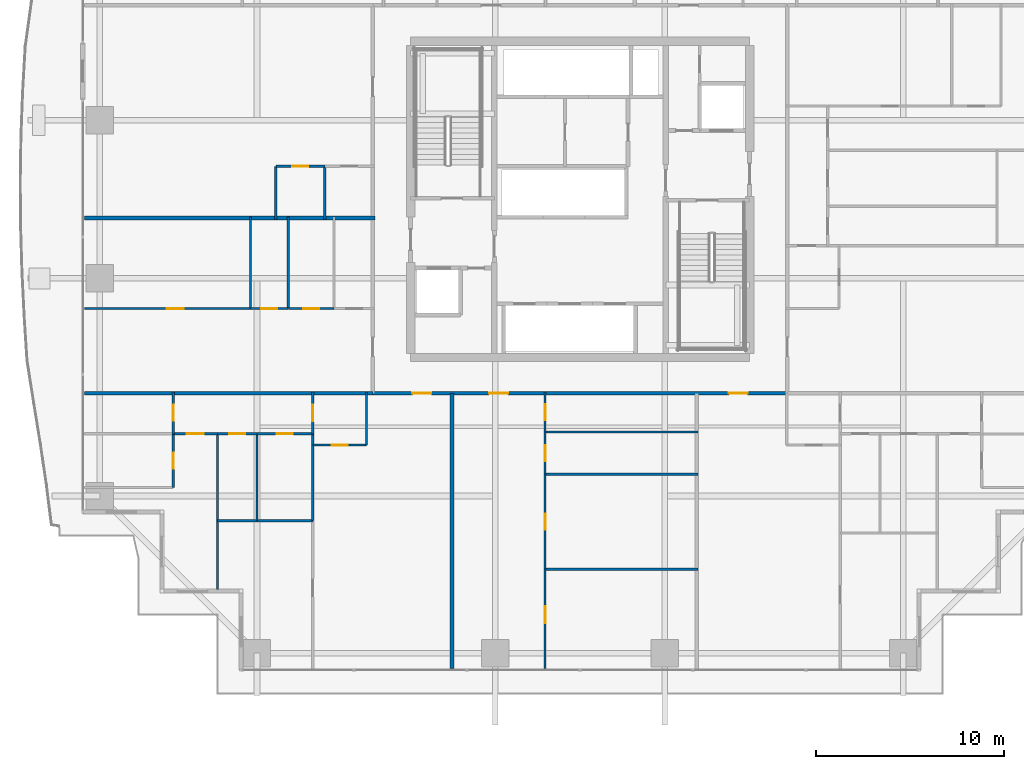
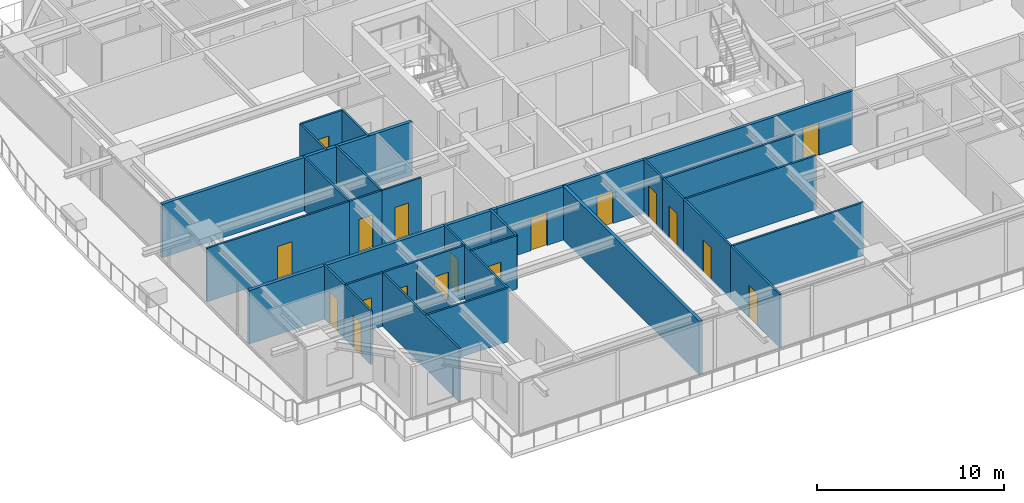
# One storey, part 23 of 35: 31 walls, 18 doors, 18 openings.
"""IFC4 building model written with IfcOpenShell, lengths in metres."""

from ifc_helpers import new_model, si_unit, direction, frame, frame_2d, origin, place, context, subcontext, project, spatial, rectangle, extrude, source, transform, mapped, material, layer, layer_set, type_object, element, fill, save


model = new_model("IFC4")

# Units and contexts
model_context = context("Model", 3, precision=1e-05, world=origin(), true_north=direction((0.0, 1.0)))
body_context = subcontext(model_context, "Body", "Model", "MODEL_VIEW")
ifc_project = project(units=[si_unit("LENGTHUNIT", "METRE"), si_unit("AREAUNIT", "SQUARE_METRE"), si_unit("VOLUMEUNIT", "CUBIC_METRE"), si_unit("PLANEANGLEUNIT", "RADIAN"), si_unit("MASSUNIT", "GRAM", prefix="KILO")], contexts=[model_context])

# Site, building, storey
site_placement = place(None, origin())
site = spatial("IfcSite", under=ifc_project, at=site_placement, CompositionType="ELEMENT")
building_placement = place(site_placement, origin())
building = spatial("IfcBuilding", under=site, at=building_placement, Name="Serunith Strait Residences", CompositionType="ELEMENT")
storey_placement = place(building_placement, frame((0.0, 0.0, 71.699951171875)))
storey = spatial("IfcBuildingStorey", under=building, at=storey_placement, Name="L17", CompositionType="ELEMENT", Elevation=71.699951171875)

# Wall, openings, doors
ifc_material_1 = material(Name="Fire-rated acoustic gypsum partition")
ifc_layer_1 = layer(ifc_material_1, 0.179931640625, Name="Fire-rated acoustic gypsum partition")
ifc_layer_set_1 = layer_set([ifc_layer_1], Name="Fire-rated acoustic gypsum partition")
wall_type_1 = type_object("IfcWallType", Name="IW-CORR-180", PredefinedType="PARTITIONING", material=ifc_layer_set_1)
wall_1_placement = place(storey_placement, frame((21.402099609375, 14.89990234375, 0.0), z_axis=(0.0, 0.0, 1.0), x_axis=(1.0, 0.0, 0.0)))
wall_1 = element("IfcWall", 1, at=wall_1_placement, inside=storey, type_object=wall_type_1, Name="L17 Partition Wall 023", PredefinedType="PARTITIONING", context=body_context, shape_type="SweptSolid", body=[
    extrude(rectangle(XDim=21.995849609375, YDim=0.179931640625, at=frame_2d((10.998046875, 0.0))), origin(), (0.0, 0.0, 1.0), 3.489990234375),
])
opening_1_placement = place(wall_1_placement, frame((2.10009765625, 0.0, 0.0)))
opening_1 = element("IfcOpeningElement", 2, at=opening_1_placement, cuts=wall_1, Name="Opening D-APT1000", PredefinedType="OPENING", context=body_context, shape_type="SweptSolid", body=[
    extrude(rectangle(XDim=1.0, YDim=2.14990234375, at=frame_2d((0.5, 1.074951171875))), frame((0.0, 0.10009765625, 0.0), z_axis=(0.0, -1.0, 0.0), x_axis=(1.0, 0.0, 0.0)), (0.0, 0.0, 1.0), 0.199951171875),
])
opening_2_placement = place(wall_1_placement, frame((6.173095703125, 0.0, 0.0)))
opening_2 = element("IfcOpeningElement", 3, at=opening_2_placement, cuts=wall_1, Name="Opening D-APT1000", PredefinedType="OPENING", context=body_context, shape_type="SweptSolid", body=[
    extrude(rectangle(XDim=1.0, YDim=2.14990234375, at=frame_2d((0.5, 1.074951171875))), frame((0.0, 0.10009765625, 0.0), z_axis=(0.0, -1.0, 0.0), x_axis=(1.0, 0.0, 0.0)), (0.0, 0.0, 1.0), 0.199951171875),
])
opening_3_placement = place(wall_1_placement, frame((18.89599609375, 0.0, 0.0)))
opening_3 = element("IfcOpeningElement", 4, at=opening_3_placement, cuts=wall_1, Name="Opening D-APT1000", PredefinedType="OPENING", context=body_context, shape_type="SweptSolid", body=[
    extrude(rectangle(XDim=1.0, YDim=2.14990234375, at=frame_2d((0.5, 1.074951171875))), frame((0.0, 0.10009765625, 0.0), z_axis=(0.0, -1.0, 0.0), x_axis=(1.0, 0.0, 0.0)), (0.0, 0.0, 1.0), 0.199951171875),
])
ifc_material_2 = material(Name="Solid timber engineered fire door", Category="wood")
door_type_1 = type_object("IfcDoorType", Name="ID-APT-1000", OperationType="NOTDEFINED", PredefinedType="DOOR", material=ifc_material_2)
shared_shape_1 = source(origin(), body_context, "Body", "SweptSolid", [
    extrude(rectangle(XDim=1.0, YDim=2.14990234375, at=frame_2d((0.5, 1.074951171875))), frame((0.0, 0.02490234375, 0.0), z_axis=(0.0, -1.0, 0.0), x_axis=(1.0, 0.0, 0.0)), (0.0, 0.0, 1.0), 0.050048828125),
])
door_1_placement = place(opening_1_placement, origin())
door_1 = element("IfcDoor", 5, at=door_1_placement, inside=storey, type_object=door_type_1, Name="L17 Unit 01 Entrance Door", OperationType="SINGLE_SWING_LEFT", OverallHeight=2.14990234375, OverallWidth=1.0, PredefinedType="DOOR", context=body_context, shape_type="MappedRepresentation", body=[
    mapped(shared_shape_1, transform((0.0, 0.0, 0.0), scale=1.0)),
])
fill(opening_1, door_1)
door_2_placement = place(opening_2_placement, origin())
door_2 = element("IfcDoor", 6, at=door_2_placement, inside=storey, type_object=door_type_1, Name="L17 Unit 02 Entrance Door", OperationType="SINGLE_SWING_RIGHT", OverallHeight=2.14990234375, OverallWidth=1.0, PredefinedType="DOOR", context=body_context, shape_type="MappedRepresentation", body=[
    mapped(shared_shape_1, transform((0.0, 0.0, 0.0), scale=1.0)),
])
fill(opening_2, door_2)
door_3_placement = place(opening_3_placement, origin())
door_3 = element("IfcDoor", 7, at=door_3_placement, inside=storey, type_object=door_type_1, Name="L17 Unit 03 Entrance Door", OperationType="SINGLE_SWING_LEFT", OverallHeight=2.14990234375, OverallWidth=1.0, PredefinedType="DOOR", context=body_context, shape_type="MappedRepresentation", body=[
    mapped(shared_shape_1, transform((0.0, 0.0, 0.0), scale=1.0)),
])
fill(opening_3, door_3)

# Wall, opening, door
ifc_material_3 = material(Name="Lightweight steel-stud gypsum partition", Category="steel")
ifc_layer_2 = layer(ifc_material_3, 0.1201171875, Name="Lightweight steel-stud gypsum partition")
ifc_layer_set_2 = layer_set([ifc_layer_2], Name="Lightweight steel-stud gypsum partition")
wall_type_2 = type_object("IfcWallType", Name="IW-PART-120", PredefinedType="PARTITIONING", material=ifc_layer_set_2)
wall_2_placement = place(storey_placement, frame((18.2099609375, 12.14990234375, 0.0), z_axis=(0.0, 0.0, 1.0), x_axis=(1.0, 0.0, 0.0)))
wall_2 = element("IfcWall", 8, at=wall_2_placement, inside=storey, type_object=wall_type_2, Name="L17 Partition Wall 027", PredefinedType="PARTITIONING", context=body_context, shape_type="SweptSolid", body=[
    extrude(rectangle(XDim=2.85009765625, YDim=0.1201171875, at=frame_2d((1.425048828125, 0.0))), origin(), (0.0, 0.0, 1.0), 3.489990234375),
])
opening_4_placement = place(wall_2_placement, frame((1.0, 0.0, 0.0)))
opening_4 = element("IfcOpeningElement", 9, at=opening_4_placement, cuts=wall_2, Name="Opening D-RM850", PredefinedType="OPENING", context=body_context, shape_type="SweptSolid", body=[
    extrude(rectangle(XDim=0.85009765625, YDim=2.10009765625, at=frame_2d((0.425048828125, 1.050048828125))), frame((0.0, 0.070068359375, 0.0), z_axis=(0.0, -1.0, 0.0), x_axis=(1.0, 0.0, 0.0)), (0.0, 0.0, 1.0), 0.14013671875),
])
ifc_material_4 = material(Name="Engineered timber flush study and kitchen door", Category="wood")
door_type_2 = type_object("IfcDoorType", Name="ID-ROOM-850", OperationType="NOTDEFINED", PredefinedType="DOOR", material=ifc_material_4)
shared_shape_2 = source(origin(), body_context, "Body", "SweptSolid", [
    extrude(rectangle(XDim=0.85009765625, YDim=2.10009765625, at=frame_2d((0.425048828125, 1.050048828125))), frame((0.0, 0.02490234375, 0.0), z_axis=(0.0, -1.0, 0.0), x_axis=(1.0, 0.0, 0.0)), (0.0, 0.0, 1.0), 0.050048828125),
])
door_4_placement = place(opening_4_placement, origin())
door_4 = element("IfcDoor", 10, at=door_4_placement, inside=storey, type_object=door_type_2, Name="L17 Kitchen 1701 Door", OperationType="SINGLE_SWING_LEFT", OverallHeight=2.10009765625, OverallWidth=0.85009765625, PredefinedType="DOOR", context=body_context, shape_type="MappedRepresentation", body=[
    mapped(shared_shape_2, transform((0.0, 0.0, 0.0), scale=1.0)),
])
fill(opening_4, door_4)

# Wall
wall_3_placement = place(storey_placement, frame((21.06005859375, 12.14990234375, 0.0), z_axis=(0.0, 0.0, 1.0), x_axis=(0.0, 1.0, 0.0)))
element("IfcWall", 11, at=wall_3_placement, inside=storey, type_object=wall_type_2, Name="L17 Partition Wall 028", PredefinedType="PARTITIONING", context=body_context, shape_type="SweptSolid", body=[
    extrude(rectangle(XDim=2.81005859375, YDim=0.1201171875, at=frame_2d((1.405029296875, 0.0))), origin(), (0.0, 0.0, 1.0), 3.489990234375),
])

# Wall, opening, door
wall_4_placement = place(storey_placement, frame((18.2099609375, 12.75, 0.0), z_axis=(0.0, 0.0, 1.0), x_axis=(0.0, 1.0, 0.0)))
wall_4 = element("IfcWall", 12, at=wall_4_placement, inside=storey, type_object=wall_type_2, Name="L17 Partition Wall 029", PredefinedType="PARTITIONING", context=body_context, shape_type="SweptSolid", body=[
    extrude(rectangle(XDim=2.2099609375, YDim=0.1201171875, at=frame_2d((1.10498046875, 0.0))), origin(), (0.0, 0.0, 1.0), 3.489990234375),
])
opening_5_placement = place(wall_4_placement, frame((0.655029296875, 0.0, 0.0)))
opening_5 = element("IfcOpeningElement", 13, at=opening_5_placement, cuts=wall_4, Name="Opening D-RM900", PredefinedType="OPENING", context=body_context, shape_type="SweptSolid", body=[
    extrude(rectangle(XDim=0.89990234375, YDim=2.10009765625, at=frame_2d((0.449951171875, 1.050048828125))), frame((0.0, 0.070068359375, 0.0), z_axis=(0.0, -1.0, 0.0), x_axis=(1.0, 0.0, 0.0)), (0.0, 0.0, 1.0), 0.14013671875),
])
ifc_material_5 = material(Name="Engineered timber flush bedroom door", Category="wood")
door_type_3 = type_object("IfcDoorType", Name="ID-ROOM-900", OperationType="NOTDEFINED", PredefinedType="DOOR", material=ifc_material_5)
shared_shape_3 = source(origin(), body_context, "Body", "SweptSolid", [
    extrude(rectangle(XDim=0.89990234375, YDim=2.10009765625, at=frame_2d((0.449951171875, 1.050048828125))), frame((0.0, 0.02490234375, 0.0), z_axis=(0.0, -1.0, 0.0), x_axis=(1.0, 0.0, 0.0)), (0.0, 0.0, 1.0), 0.050048828125),
])
door_5_placement = place(opening_5_placement, origin())
door_5 = element("IfcDoor", 14, at=door_5_placement, inside=storey, type_object=door_type_3, Name="L17 Hall W 1701 Door", OperationType="SINGLE_SWING_RIGHT", OverallHeight=2.10009765625, OverallWidth=0.89990234375, PredefinedType="DOOR", context=body_context, shape_type="MappedRepresentation", body=[
    mapped(shared_shape_3, transform((0.0, 0.0, 0.0), scale=1.0)),
])
fill(opening_5, door_5)

# Walls
wall_5_placement = place(storey_placement, frame((18.2099609375, 8.14111328125, 0.0), z_axis=(0.0, 0.0, 1.0), x_axis=(0.0, 1.0, 0.0)))
element("IfcWall", 15, at=wall_5_placement, inside=storey, type_object=wall_type_2, Name="L17 Partition Wall 031", PredefinedType="PARTITIONING", context=body_context, shape_type="SweptSolid", body=[
    extrude(rectangle(XDim=4.60693359375, YDim=0.1201171875, at=frame_2d((2.303466796875, 0.0))), origin(), (0.0, 0.0, 1.0), 3.489990234375),
])
wall_6_placement = place(storey_placement, frame((13.14990234375, 8.138916015625, 0.0), z_axis=(0.0, 0.0, 1.0), x_axis=(1.0, 0.0, 0.0)))
element("IfcWall", 16, at=wall_6_placement, inside=storey, type_object=wall_type_2, Name="L17 Partition Wall 032", PredefinedType="PARTITIONING", context=body_context, shape_type="SweptSolid", body=[
    extrude(rectangle(XDim=5.06005859375, YDim=0.1201171875, at=frame_2d((2.530029296875, 0.0))), origin(), (0.0, 0.0, 1.0), 3.489990234375),
])
wall_7_placement = place(storey_placement, frame((13.14990234375, 4.4951171875, 0.0), z_axis=(0.0, 0.0, 1.0), x_axis=(0.0, 1.0, 0.0)))
element("IfcWall", 17, at=wall_7_placement, inside=storey, type_object=wall_type_2, Name="L17 Partition Wall 033", PredefinedType="PARTITIONING", context=body_context, shape_type="SweptSolid", body=[
    extrude(rectangle(XDim=8.2548828125, YDim=0.1201171875, at=frame_2d((4.12744140625, 0.0))), origin(), (0.0, 0.0, 1.0), 3.489990234375),
])
wall_8_placement = place(storey_placement, frame((15.25, 8.138916015625, 0.0), z_axis=(0.0, 0.0, 1.0), x_axis=(0.0, 1.0, 0.0)))
element("IfcWall", 18, at=wall_8_placement, inside=storey, type_object=wall_type_2, Name="L17 Partition Wall 034", PredefinedType="PARTITIONING", context=body_context, shape_type="SweptSolid", body=[
    extrude(rectangle(XDim=4.611083984375, YDim=0.1201171875, at=frame_2d((2.3056640625, 0.0))), origin(), (0.0, 0.0, 1.0), 2.922119140625),
])

# Wall, opening, door
wall_9_placement = place(storey_placement, frame((13.14990234375, 12.75, 0.0), z_axis=(0.0, 0.0, 1.0), x_axis=(1.0, 0.0, 0.0)))
wall_9 = element("IfcWall", 19, at=wall_9_placement, inside=storey, type_object=wall_type_2, Name="L17 Partition Wall 035", PredefinedType="PARTITIONING", context=body_context, shape_type="SweptSolid", body=[
    extrude(rectangle(XDim=2.10009765625, YDim=0.1201171875, at=frame_2d((1.050048828125, 0.0))), origin(), (0.0, 0.0, 1.0), 3.489990234375),
])
opening_6_placement = place(wall_9_placement, frame((0.625, 0.0, 0.0)))
opening_6 = element("IfcOpeningElement", 20, at=opening_6_placement, cuts=wall_9, Name="Opening D-BTH850", PredefinedType="OPENING", context=body_context, shape_type="SweptSolid", body=[
    extrude(rectangle(XDim=0.85009765625, YDim=2.10009765625, at=frame_2d((0.425048828125, 1.050048828125))), frame((0.0, 0.070068359375, 0.0), z_axis=(0.0, -1.0, 0.0), x_axis=(1.0, 0.0, 0.0)), (0.0, 0.0, 1.0), 0.14013671875),
])
ifc_material_6 = material(Name="Moisture-resistant timber bathroom door", Category="wood")
door_type_4 = type_object("IfcDoorType", Name="ID-BATH-850", OperationType="NOTDEFINED", PredefinedType="DOOR", material=ifc_material_6)
door_6_placement = place(opening_6_placement, origin())
door_6 = element("IfcDoor", 21, at=door_6_placement, inside=storey, type_object=door_type_4, Name="L17 Bathroom 1701 Door", OperationType="SINGLE_SWING_RIGHT", OverallHeight=2.10009765625, OverallWidth=0.85009765625, PredefinedType="DOOR", context=body_context, shape_type="MappedRepresentation", body=[
    mapped(shared_shape_2, transform((0.0, 0.0, 0.0), scale=1.0)),
])
fill(opening_6, door_6)

wall_10_placement = place(storey_placement, frame((15.251953125, 12.75, 0.0), z_axis=(0.0, 0.0, 1.0), x_axis=(1.0, 0.0, 0.0)))
wall_10 = element("IfcWall", 22, at=wall_10_placement, inside=storey, type_object=wall_type_2, Name="L17 Partition Wall 036", PredefinedType="PARTITIONING", context=body_context, shape_type="SweptSolid", body=[
    extrude(rectangle(XDim=2.9580078125, YDim=0.1201171875, at=frame_2d((1.47900390625, 0.0))), origin(), (0.0, 0.0, 1.0), 3.489990234375),
])
opening_7_placement = place(wall_10_placement, frame((1.053955078125, 0.0, 0.0)))
opening_7 = element("IfcOpeningElement", 23, at=opening_7_placement, cuts=wall_10, Name="Opening D-RM850", PredefinedType="OPENING", context=body_context, shape_type="SweptSolid", body=[
    extrude(rectangle(XDim=0.85009765625, YDim=2.10009765625, at=frame_2d((0.425048828125, 1.050048828125))), frame((0.0, 0.070068359375, 0.0), z_axis=(0.0, -1.0, 0.0), x_axis=(1.0, 0.0, 0.0)), (0.0, 0.0, 1.0), 0.14013671875),
])
door_7_placement = place(opening_7_placement, origin())
door_7 = element("IfcDoor", 24, at=door_7_placement, inside=storey, type_object=door_type_2, Name="L17 Formal Dining Room 1701 Door", OperationType="SINGLE_SWING_LEFT", OverallHeight=2.10009765625, OverallWidth=0.85009765625, PredefinedType="DOOR", context=body_context, shape_type="MappedRepresentation", body=[
    mapped(shared_shape_2, transform((0.0, 0.0, 0.0), scale=1.0)),
])
fill(opening_7, door_7)

wall_11_placement = place(storey_placement, frame((10.800048828125, 12.75, 0.0), z_axis=(0.0, 0.0, 1.0), x_axis=(1.0, 0.0, 0.0)))
wall_11 = element("IfcWall", 25, at=wall_11_placement, inside=storey, type_object=wall_type_2, Name="L17 Partition Wall 037", PredefinedType="PARTITIONING", context=body_context, shape_type="SweptSolid", body=[
    extrude(rectangle(XDim=2.347900390625, YDim=0.1201171875, at=frame_2d((1.173828125, 0.0))), origin(), (0.0, 0.0, 1.0), 3.489990234375),
])
opening_8_placement = place(wall_11_placement, frame((0.72412109375, 0.0, 0.0)))
opening_8 = element("IfcOpeningElement", 26, at=opening_8_placement, cuts=wall_11, Name="Opening D-RM900", PredefinedType="OPENING", context=body_context, shape_type="SweptSolid", body=[
    extrude(rectangle(XDim=0.89990234375, YDim=2.10009765625, at=frame_2d((0.449951171875, 1.050048828125))), frame((0.0, 0.070068359375, 0.0), z_axis=(0.0, -1.0, 0.0), x_axis=(1.0, 0.0, 0.0)), (0.0, 0.0, 1.0), 0.14013671875),
])
door_8_placement = place(opening_8_placement, origin())
door_8 = element("IfcDoor", 27, at=door_8_placement, inside=storey, type_object=door_type_3, Name="L17 Master Bedroom W 1701 Door", OperationType="SINGLE_SWING_RIGHT", OverallHeight=2.10009765625, OverallWidth=0.89990234375, PredefinedType="DOOR", context=body_context, shape_type="MappedRepresentation", body=[
    mapped(shared_shape_3, transform((0.0, 0.0, 0.0), scale=1.0)),
])
fill(opening_8, door_8)

wall_12_placement = place(storey_placement, frame((10.800048828125, 9.89404296875, 0.0), z_axis=(0.0, 0.0, 1.0), x_axis=(0.0, 1.0, 0.0)))
wall_12 = element("IfcWall", 28, at=wall_12_placement, inside=storey, type_object=wall_type_2, Name="L17 Partition Wall 040", PredefinedType="PARTITIONING", context=body_context, shape_type="SweptSolid", body=[
    extrude(rectangle(XDim=2.85595703125, YDim=0.1201171875, at=frame_2d((1.427978515625, 0.0))), origin(), (0.0, 0.0, 1.0), 3.489990234375),
])
opening_9_placement = place(wall_12_placement, frame((1.0029296875, 0.0, 0.0)))
opening_9 = element("IfcOpeningElement", 29, at=opening_9_placement, cuts=wall_12, Name="Opening D-BTH850", PredefinedType="OPENING", context=body_context, shape_type="SweptSolid", body=[
    extrude(rectangle(XDim=0.85009765625, YDim=2.10009765625, at=frame_2d((0.425048828125, 1.050048828125))), frame((0.0, 0.070068359375, 0.0), z_axis=(0.0, -1.0, 0.0), x_axis=(1.0, 0.0, 0.0)), (0.0, 0.0, 1.0), 0.14013671875),
])
door_9_placement = place(opening_9_placement, origin())
door_9 = element("IfcDoor", 30, at=door_9_placement, inside=storey, type_object=door_type_4, Name="L17 En-suite Bathroom W 1701 Door", OperationType="SINGLE_SWING_LEFT", OverallHeight=2.10009765625, OverallWidth=0.85009765625, PredefinedType="DOOR", context=body_context, shape_type="MappedRepresentation", body=[
    mapped(shared_shape_2, transform((0.0, 0.0, 0.0), scale=1.0)),
])
fill(opening_9, door_9)

wall_13_placement = place(storey_placement, frame((10.800048828125, 12.751953125, 0.0), z_axis=(0.0, 0.0, 1.0), x_axis=(0.0, 1.0, 0.0)))
wall_13 = element("IfcWall", 31, at=wall_13_placement, inside=storey, type_object=wall_type_2, Name="L17 Partition Wall 041", PredefinedType="PARTITIONING", context=body_context, shape_type="SweptSolid", body=[
    extrude(rectangle(XDim=2.2080078125, YDim=0.1201171875, at=frame_2d((1.10400390625, 0.0))), origin(), (0.0, 0.0, 1.0), 3.489990234375),
])
opening_10_placement = place(wall_13_placement, frame((0.678955078125, 0.0, 0.0)))
opening_10 = element("IfcOpeningElement", 32, at=opening_10_placement, cuts=wall_13, Name="Opening D-RM850", PredefinedType="OPENING", context=body_context, shape_type="SweptSolid", body=[
    extrude(rectangle(XDim=0.85009765625, YDim=2.10009765625, at=frame_2d((0.425048828125, 1.050048828125))), frame((0.0, 0.070068359375, 0.0), z_axis=(0.0, -1.0, 0.0), x_axis=(1.0, 0.0, 0.0)), (0.0, 0.0, 1.0), 0.14013671875),
])
door_10_placement = place(opening_10_placement, origin())
door_10 = element("IfcDoor", 33, at=door_10_placement, inside=storey, type_object=door_type_2, Name="L17 Wardrobe W 1701 Door", OperationType="SINGLE_SWING_RIGHT", OverallHeight=2.10009765625, OverallWidth=0.85009765625, PredefinedType="DOOR", context=body_context, shape_type="MappedRepresentation", body=[
    mapped(shared_shape_2, transform((0.0, 0.0, 0.0), scale=1.0)),
])
fill(opening_10, door_10)

wall_14_placement = place(storey_placement, frame((30.5400390625, 0.294921875, 0.0), z_axis=(0.0, 0.0, 1.0), x_axis=(0.0, 1.0, 0.0)))
wall_14 = element("IfcWall", 34, at=wall_14_placement, inside=storey, type_object=wall_type_2, Name="L17 Partition Wall 042", PredefinedType="PARTITIONING", context=body_context, shape_type="SweptSolid", body=[
    extrude(rectangle(XDim=5.26611328125, YDim=0.1201171875, at=frame_2d((2.633056640625, 0.0))), origin(), (0.0, 0.0, 1.0), 3.489990234375),
])
opening_11_placement = place(wall_14_placement, frame((2.40087890625, 0.0, 0.0)))
opening_11 = element("IfcOpeningElement", 35, at=opening_11_placement, cuts=wall_14, Name="Opening D-RM900", PredefinedType="OPENING", context=body_context, shape_type="SweptSolid", body=[
    extrude(rectangle(XDim=0.89990234375, YDim=2.10009765625, at=frame_2d((0.449951171875, 1.050048828125))), frame((0.0, 0.070068359375, 0.0), z_axis=(0.0, -1.0, 0.0), x_axis=(1.0, 0.0, 0.0)), (0.0, 0.0, 1.0), 0.14013671875),
])
door_11_placement = place(opening_11_placement, origin())
door_11 = element("IfcDoor", 36, at=door_11_placement, inside=storey, type_object=door_type_3, Name="L17 Master Bedroom 1 1702 Door", OperationType="SINGLE_SWING_LEFT", OverallHeight=2.10009765625, OverallWidth=0.89990234375, PredefinedType="DOOR", context=body_context, shape_type="MappedRepresentation", body=[
    mapped(shared_shape_3, transform((0.0, 0.0, 0.0), scale=1.0)),
])
fill(opening_11, door_11)

# Walls
for number, where, z_axis, x_axis, name in (
    (37, (30.5400390625, 5.56103515625, 0.0), (0.0, 0.0, 1.0), (1.0, 0.0, 0.0), "L17 Partition Wall 043"),
    (38, (30.5400390625, 10.60400390625, 0.0), (0.0, 0.0, 1.0), (1.0, 0.0, 0.0), "L17 Partition Wall 044"),
    (39, (30.5400390625, 12.85009765625, 0.0), (0.0, 0.0, 1.0), (1.0, 0.0, 0.0), "L17 Partition Wall 045"),
):
    element("IfcWall", number, at=place(storey_placement, frame(where, z_axis=z_axis, x_axis=x_axis)), inside=storey, type_object=wall_type_2, Name=name, PredefinedType="PARTITIONING", context=body_context, shape_type="SweptSolid", body=[
        extrude(rectangle(XDim=8.119873046875, YDim=0.1201171875, at=frame_2d((4.06005859375, 0.0))), origin(), (0.0, 0.0, 1.0), 3.489990234375),
    ])

# Wall, opening, door
wall_15_placement = place(storey_placement, frame((30.5400390625, 5.56298828125, 0.0), z_axis=(0.0, 0.0, 1.0), x_axis=(0.0, 1.0, 0.0)))
wall_15 = element("IfcWall", 40, at=wall_15_placement, inside=storey, type_object=wall_type_2, Name="L17 Partition Wall 046", PredefinedType="PARTITIONING", context=body_context, shape_type="SweptSolid", body=[
    extrude(rectangle(XDim=5.041015625, YDim=0.1201171875, at=frame_2d((2.5205078125, 0.0))), origin(), (0.0, 0.0, 1.0), 3.489990234375),
])
opening_12_placement = place(wall_15_placement, frame((2.094970703125, 0.0, 0.0)))
opening_12 = element("IfcOpeningElement", 41, at=opening_12_placement, cuts=wall_15, Name="Opening D-RM850", PredefinedType="OPENING", context=body_context, shape_type="SweptSolid", body=[
    extrude(rectangle(XDim=0.85009765625, YDim=2.10009765625, at=frame_2d((0.425048828125, 1.050048828125))), frame((0.0, 0.070068359375, 0.0), z_axis=(0.0, -1.0, 0.0), x_axis=(1.0, 0.0, 0.0)), (0.0, 0.0, 1.0), 0.14013671875),
])
door_12_placement = place(opening_12_placement, origin())
door_12 = element("IfcDoor", 42, at=door_12_placement, inside=storey, type_object=door_type_2, Name="L17 Dining 1702 Door", OperationType="SINGLE_SWING_RIGHT", OverallHeight=2.10009765625, OverallWidth=0.85009765625, PredefinedType="DOOR", context=body_context, shape_type="MappedRepresentation", body=[
    mapped(shared_shape_2, transform((0.0, 0.0, 0.0), scale=1.0)),
])
fill(opening_12, door_12)

wall_16_placement = place(storey_placement, frame((30.5400390625, 10.60595703125, 0.0), z_axis=(0.0, 0.0, 1.0), x_axis=(0.0, 1.0, 0.0)))
wall_16 = element("IfcWall", 43, at=wall_16_placement, inside=storey, type_object=wall_type_2, Name="L17 Partition Wall 047", PredefinedType="PARTITIONING", context=body_context, shape_type="SweptSolid", body=[
    extrude(rectangle(XDim=2.244140625, YDim=0.1201171875, at=frame_2d((1.1220703125, 0.0))), origin(), (0.0, 0.0, 1.0), 3.489990234375),
])
opening_13_placement = place(wall_16_placement, frame((0.697021484375, 0.0, 0.0)))
opening_13 = element("IfcOpeningElement", 44, at=opening_13_placement, cuts=wall_16, Name="Opening D-RM850", PredefinedType="OPENING", context=body_context, shape_type="SweptSolid", body=[
    extrude(rectangle(XDim=0.85009765625, YDim=2.10009765625, at=frame_2d((0.425048828125, 1.050048828125))), frame((0.0, 0.070068359375, 0.0), z_axis=(0.0, -1.0, 0.0), x_axis=(1.0, 0.0, 0.0)), (0.0, 0.0, 1.0), 0.14013671875),
])
door_13_placement = place(opening_13_placement, origin())
door_13 = element("IfcDoor", 45, at=door_13_placement, inside=storey, type_object=door_type_2, Name="L17 Kitchen 1702 Door", OperationType="SINGLE_SWING_LEFT", OverallHeight=2.10009765625, OverallWidth=0.85009765625, PredefinedType="DOOR", context=body_context, shape_type="MappedRepresentation", body=[
    mapped(shared_shape_2, transform((0.0, 0.0, 0.0), scale=1.0)),
])
fill(opening_13, door_13)

wall_17_placement = place(storey_placement, frame((30.5400390625, 12.85205078125, 0.0), z_axis=(0.0, 0.0, 1.0), x_axis=(0.0, 1.0, 0.0)))
wall_17 = element("IfcWall", 46, at=wall_17_placement, inside=storey, type_object=wall_type_2, Name="L17 Partition Wall 048", PredefinedType="PARTITIONING", context=body_context, shape_type="SweptSolid", body=[
    extrude(rectangle(XDim=2.10791015625, YDim=0.1201171875, at=frame_2d((1.053955078125, 0.0))), origin(), (0.0, 0.0, 1.0), 3.489990234375),
])
opening_14_placement = place(wall_17_placement, frame((0.62890625, 0.0, 0.0)))
opening_14 = element("IfcOpeningElement", 47, at=opening_14_placement, cuts=wall_17, Name="Opening D-BTH850", PredefinedType="OPENING", context=body_context, shape_type="SweptSolid", body=[
    extrude(rectangle(XDim=0.85009765625, YDim=2.10009765625, at=frame_2d((0.425048828125, 1.050048828125))), frame((0.0, 0.070068359375, 0.0), z_axis=(0.0, -1.0, 0.0), x_axis=(1.0, 0.0, 0.0)), (0.0, 0.0, 1.0), 0.14013671875),
])
door_14_placement = place(opening_14_placement, origin())
door_14 = element("IfcDoor", 48, at=door_14_placement, inside=storey, type_object=door_type_4, Name="L17 Bathroom 1702 Door", OperationType="SINGLE_SWING_RIGHT", OverallHeight=2.10009765625, OverallWidth=0.85009765625, PredefinedType="DOOR", context=body_context, shape_type="MappedRepresentation", body=[
    mapped(shared_shape_2, transform((0.0, 0.0, 0.0), scale=1.0)),
])
fill(opening_14, door_14)

wall_18_placement = place(storey_placement, frame((6.094970703125, 19.39990234375, 0.0), z_axis=(0.0, 0.0, 1.0), x_axis=(1.0, 0.0, 0.0)))
wall_18 = element("IfcWall", 49, at=wall_18_placement, inside=storey, type_object=wall_type_2, Name="L17 Partition Wall 102", PredefinedType="PARTITIONING", context=body_context, shape_type="SweptSolid", body=[
    extrude(rectangle(XDim=8.81103515625, YDim=0.1201171875, at=frame_2d((4.405517578125, 0.0))), origin(), (0.0, 0.0, 1.0), 3.489990234375),
])
opening_15_placement = place(wall_18_placement, frame((4.35107421875, 0.0, 0.0)))
opening_15 = element("IfcOpeningElement", 50, at=opening_15_placement, cuts=wall_18, Name="Opening D-RM900", PredefinedType="OPENING", context=body_context, shape_type="SweptSolid", body=[
    extrude(rectangle(XDim=0.89990234375, YDim=2.10009765625, at=frame_2d((0.449951171875, 1.050048828125))), frame((0.0, 0.070068359375, 0.0), z_axis=(0.0, -1.0, 0.0), x_axis=(1.0, 0.0, 0.0)), (0.0, 0.0, 1.0), 0.14013671875),
])
door_15_placement = place(opening_15_placement, origin())
door_15 = element("IfcDoor", 51, at=door_15_placement, inside=storey, type_object=door_type_3, Name="L17 Master Bedroom 1 1706 Door", OperationType="SINGLE_SWING_RIGHT", OverallHeight=2.10009765625, OverallWidth=0.89990234375, PredefinedType="DOOR", context=body_context, shape_type="MappedRepresentation", body=[
    mapped(shared_shape_3, transform((0.0, 0.0, 0.0), scale=1.0)),
])
fill(opening_15, door_15)

# Walls
for number, where, z_axis, x_axis, name in (
    (52, (14.906005859375, 19.39990234375, 0.0), (0.0, 0.0, 1.0), (0.0, 1.0, 0.0), "L17 Partition Wall 103"),
    (53, (16.906005859375, 19.39990234375, 0.0), (0.0, 0.0, 1.0), (0.0, 1.0, 0.0), "L17 Partition Wall 104"),
):
    element("IfcWall", number, at=place(storey_placement, frame(where, z_axis=z_axis, x_axis=x_axis)), inside=storey, type_object=wall_type_2, Name=name, PredefinedType="PARTITIONING", context=body_context, shape_type="SweptSolid", body=[
        extrude(rectangle(XDim=4.860107421875, YDim=0.1201171875, at=frame_2d((2.43017578125, 0.0))), origin(), (0.0, 0.0, 1.0), 3.489990234375),
    ])

# Wall, opening, door
wall_19_placement = place(storey_placement, frame((14.907958984375, 19.39990234375, 0.0), z_axis=(0.0, 0.0, 1.0), x_axis=(1.0, 0.0, 0.0)))
wall_19 = element("IfcWall", 54, at=wall_19_placement, inside=storey, type_object=wall_type_2, Name="L17 Partition Wall 106", PredefinedType="PARTITIONING", context=body_context, shape_type="SweptSolid", body=[
    extrude(rectangle(XDim=1.998046875, YDim=0.1201171875, at=frame_2d((0.9990234375, 0.0))), origin(), (0.0, 0.0, 1.0), 3.489990234375),
])
opening_16_placement = place(wall_19_placement, frame((0.573974609375, 0.0, 0.0)))
opening_16 = element("IfcOpeningElement", 55, at=opening_16_placement, cuts=wall_19, Name="Opening D-RM850", PredefinedType="OPENING", context=body_context, shape_type="SweptSolid", body=[
    extrude(rectangle(XDim=0.85009765625, YDim=2.10009765625, at=frame_2d((0.425048828125, 1.050048828125))), frame((0.0, 0.070068359375, 0.0), z_axis=(0.0, -1.0, 0.0), x_axis=(1.0, 0.0, 0.0)), (0.0, 0.0, 1.0), 0.14013671875),
])
door_16_placement = place(opening_16_placement, origin())
door_16 = element("IfcDoor", 56, at=door_16_placement, inside=storey, type_object=door_type_2, Name="L17 Dining 1706 Door", OperationType="SINGLE_SWING_LEFT", OverallHeight=2.10009765625, OverallWidth=0.85009765625, PredefinedType="DOOR", context=body_context, shape_type="MappedRepresentation", body=[
    mapped(shared_shape_2, transform((0.0, 0.0, 0.0), scale=1.0)),
])
fill(opening_16, door_16)

wall_20_placement = place(storey_placement, frame((16.907958984375, 19.39990234375, 0.0), z_axis=(0.0, 0.0, 1.0), x_axis=(1.0, 0.0, 0.0)))
wall_20 = element("IfcWall", 57, at=wall_20_placement, inside=storey, type_object=wall_type_2, Name="L17 Partition Wall 107", PredefinedType="PARTITIONING", context=body_context, shape_type="SweptSolid", body=[
    extrude(rectangle(XDim=2.428955078125, YDim=0.1201171875, at=frame_2d((1.21435546875, 0.0))), origin(), (0.0, 0.0, 1.0), 3.489990234375),
])
opening_17_placement = place(wall_20_placement, frame((0.7890625, 0.0, 0.0)))
opening_17 = element("IfcOpeningElement", 58, at=opening_17_placement, cuts=wall_20, Name="Opening D-RM850", PredefinedType="OPENING", context=body_context, shape_type="SweptSolid", body=[
    extrude(rectangle(XDim=0.85009765625, YDim=2.10009765625, at=frame_2d((0.425048828125, 1.050048828125))), frame((0.0, 0.070068359375, 0.0), z_axis=(0.0, -1.0, 0.0), x_axis=(1.0, 0.0, 0.0)), (0.0, 0.0, 1.0), 0.14013671875),
])
door_17_placement = place(opening_17_placement, origin())
door_17 = element("IfcDoor", 59, at=door_17_placement, inside=storey, type_object=door_type_2, Name="L17 Kitchen 1706 Door", OperationType="SINGLE_SWING_RIGHT", OverallHeight=2.10009765625, OverallWidth=0.85009765625, PredefinedType="DOOR", context=body_context, shape_type="MappedRepresentation", body=[
    mapped(shared_shape_2, transform((0.0, 0.0, 0.0), scale=1.0)),
])
fill(opening_17, door_17)

wall_21_placement = place(storey_placement, frame((16.25, 26.949951171875, 0.0), z_axis=(0.0, 0.0, 1.0), x_axis=(1.0, 0.0, 0.0)))
wall_21 = element("IfcWall", 60, at=wall_21_placement, inside=storey, type_object=wall_type_2, Name="L17 Partition Wall 109", PredefinedType="PARTITIONING", context=body_context, shape_type="SweptSolid", body=[
    extrude(rectangle(XDim=2.60009765625, YDim=0.1201171875, at=frame_2d((1.300048828125, 0.0))), origin(), (0.0, 0.0, 1.0), 3.489990234375),
])
opening_18_placement = place(wall_21_placement, frame((0.875, 0.0, 0.0)))
opening_18 = element("IfcOpeningElement", 61, at=opening_18_placement, cuts=wall_21, Name="Opening D-RM850", PredefinedType="OPENING", context=body_context, shape_type="SweptSolid", body=[
    extrude(rectangle(XDim=0.85009765625, YDim=2.10009765625, at=frame_2d((0.425048828125, 1.050048828125))), frame((0.0, 0.070068359375, 0.0), z_axis=(0.0, -1.0, 0.0), x_axis=(1.0, 0.0, 0.0)), (0.0, 0.0, 1.0), 0.14013671875),
])
door_18_placement = place(opening_18_placement, origin())
door_18 = element("IfcDoor", 62, at=door_18_placement, inside=storey, type_object=door_type_2, Name="L17 Kitchen 1707 Door", OperationType="SINGLE_SWING_RIGHT", OverallHeight=2.10009765625, OverallWidth=0.85009765625, PredefinedType="DOOR", context=body_context, shape_type="MappedRepresentation", body=[
    mapped(shared_shape_2, transform((0.0, 0.0, 0.0), scale=1.0)),
])
fill(opening_18, door_18)

# Walls
for number, where, z_axis, x_axis, name in (
    (63, (18.85009765625, 24.139892578125, 0.0), (0.0, 0.0, 1.0), (0.0, 1.0, 0.0), "L17 Partition Wall 111"),
    (64, (16.25, 24.139892578125, 0.0), (0.0, 0.0, 1.0), (0.0, 1.0, 0.0), "L17 Partition Wall 112"),
):
    element("IfcWall", number, at=place(storey_placement, frame(where, z_axis=z_axis, x_axis=x_axis)), inside=storey, type_object=wall_type_2, Name=name, PredefinedType="PARTITIONING", context=body_context, shape_type="SweptSolid", body=[
        extrude(rectangle(XDim=2.81005859375, YDim=0.1201171875, at=frame_2d((1.405029296875, 0.0))), origin(), (0.0, 0.0, 1.0), 3.489990234375),
    ])
ifc_material_7 = material(Name="Twin-stud acoustic gypsum board partition")
ifc_layer_3 = layer(ifc_material_7, 0.199951171875, Name="Twin-stud acoustic gypsum board partition")
ifc_layer_set_3 = layer_set([ifc_layer_3], Name="Twin-stud acoustic gypsum board partition")
wall_type_3 = type_object("IfcWallType", Name="IW-PARTY-200", PredefinedType="PARTITIONING", material=ifc_layer_set_3)
wall_22_placement = place(storey_placement, frame((25.60009765625, 0.281982421875, 0.0), z_axis=(0.0, 0.0, 1.0), x_axis=(0.0, 1.0, 0.0)))
element("IfcWall", 65, at=wall_22_placement, inside=storey, type_object=wall_type_3, Name="L17 Partition Wall 015", PredefinedType="PARTITIONING", context=body_context, shape_type="SweptSolid", body=[
    extrude(rectangle(XDim=14.617919921875, YDim=0.199951171875, at=frame_2d((7.30908203125, 0.0))), origin(), (0.0, 0.0, 1.0), 3.489990234375),
])
wall_23_placement = place(storey_placement, frame((6.08203125, 24.199951171875, 0.0), z_axis=(0.0, 0.0, 1.0), x_axis=(1.0, 0.0, 0.0)))
element("IfcWall", 66, at=wall_23_placement, inside=storey, type_object=wall_type_3, Name="L17 Partition Wall 018", PredefinedType="PARTITIONING", context=body_context, shape_type="SweptSolid", body=[
    extrude(rectangle(XDim=15.43798828125, YDim=0.199951171875, at=frame_2d((7.718994140625, 0.0))), origin(), (0.0, 0.0, 1.0), 3.489990234375),
])
wall_24_placement = place(storey_placement, frame((6.08203125, 14.89990234375, 0.0), z_axis=(0.0, 0.0, 1.0), x_axis=(1.0, 0.0, 0.0)))
element("IfcWall", 67, at=wall_24_placement, inside=storey, type_object=wall_type_3, Name="L17 Partition Wall 019", PredefinedType="PARTITIONING", context=body_context, shape_type="SweptSolid", body=[
    extrude(rectangle(XDim=15.31787109375, YDim=0.199951171875, at=frame_2d((7.658935546875, 0.0))), origin(), (0.0, 0.0, 1.0), 3.489990234375),
])

save(model, "model.ifc")
